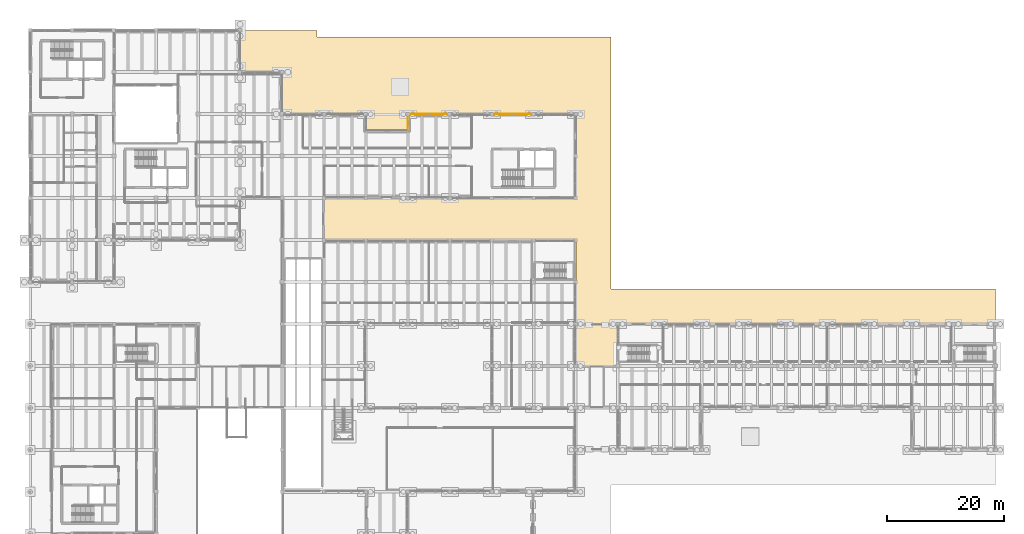
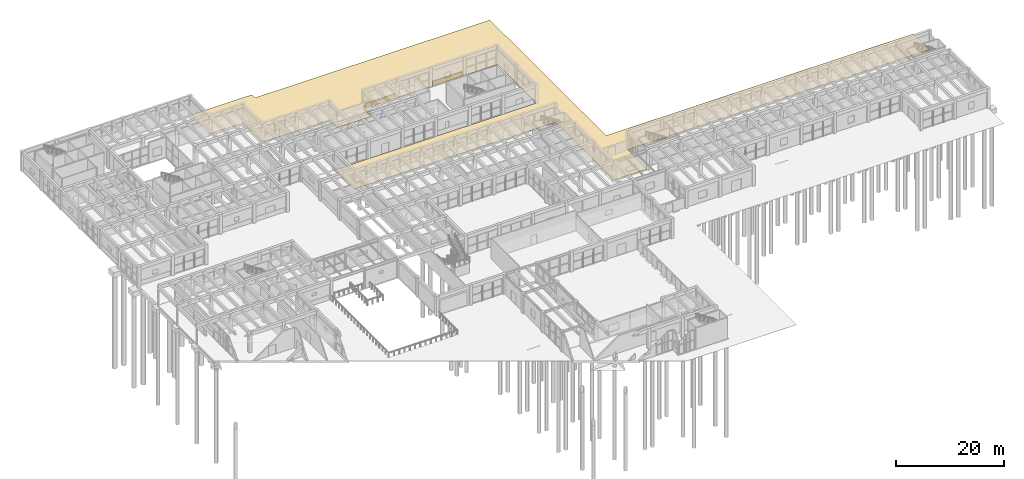
# One storey, part 153 of 155: 4 coverings.
"""IFC4 building model written with IfcOpenShell, lengths in metres."""

from ifc_helpers import new_model, si_unit, direction, frame, origin, origin_2d, place, context, subcontext, project, spatial, polyline, rectangle, outline, extrude, material, layer, layer_set, type_object, element, save


model = new_model("IFC4")

# Units and contexts
model_context = context("Model", 3, precision=1e-05, world=origin(), true_north=direction((0.0, 1.0)))
body_context = subcontext(model_context, "Body", "Model", "MODEL_VIEW")
ifc_project = project(units=[si_unit("LENGTHUNIT", "METRE"), si_unit("AREAUNIT", "SQUARE_METRE"), si_unit("VOLUMEUNIT", "CUBIC_METRE"), si_unit("PLANEANGLEUNIT", "RADIAN"), si_unit("MASSUNIT", "GRAM", prefix="KILO")], contexts=[model_context])

# Site, building, storey
site_placement = place(None, origin())
site = spatial("IfcSite", under=ifc_project, at=site_placement, CompositionType="ELEMENT")
building_placement = place(site_placement, origin())
building = spatial("IfcBuilding", under=site, at=building_placement, Name="Bramvelor Terrace Health Centre", CompositionType="ELEMENT")
storey_placement = place(building_placement, origin())
storey = spatial("IfcBuildingStorey", under=building, at=storey_placement, Name="L01", CompositionType="ELEMENT", Elevation=0.0)

# Coverings
ifc_material_1 = material(Name="Honed volcanic tuff rainscreen stone", Category="masonry")
ifc_layer_1 = layer(ifc_material_1, 0.0400390625)
ifc_layer_set_1 = layer_set([ifc_layer_1], Name="Honed volcanic tuff rainscreen stone")
covering_type_1 = type_object("IfcCoveringType", Name="COV-CLAD-TUF", PredefinedType="CLADDING", material=ifc_layer_set_1)
covering_1_placement = place(storey_placement, frame((64.77001953125, 99.242431640625, 0.02490234375), z_axis=(0.0, 0.0, 1.0), x_axis=(1.0, 0.0, 0.0)))
element("IfcCovering", 1, at=covering_1_placement, inside=storey, type_object=covering_type_1, Name="L01 Volcanic Tuff Rainscreen Spandrel 31", PredefinedType="CLADDING", context=body_context, shape_type="SweptSolid", body=[
    extrude(rectangle(XDim=0.0400390625, YDim=2.22509765625, at=origin_2d()), origin(), (0.0, 0.0, 1.0), 1.050048828125),
])
for number, where, z_axis, x_axis, name in (
    (2, (68.39990234375, 100.81494140625, 0.02490234375), (0.0, 0.0, 1.0), (1.0, 0.0, 0.0), "L01 Volcanic Tuff Rainscreen Spandrel 32"),
    (3, (82.800048828125, 100.81494140625, 0.02490234375), (0.0, 0.0, 1.0), (1.0, 0.0, 0.0), "L01 Volcanic Tuff Rainscreen Spandrel 33"),
):
    element("IfcCovering", number, at=place(storey_placement, frame(where, z_axis=z_axis, x_axis=x_axis)), inside=storey, type_object=covering_type_1, Name=name, PredefinedType="CLADDING", context=body_context, shape_type="SweptSolid", body=[
        extrude(rectangle(XDim=6.31005859375, YDim=0.0400390625, at=origin_2d()), origin(), (0.0, 0.0, 1.0), 1.050048828125),
    ])
ifc_material_2 = material(Name="Flamed granite plaza paving", Category="masonry")
ifc_layer_2 = layer(ifc_material_2, 0.050048828125)
ifc_layer_set_2 = layer_set([ifc_layer_2], Name="Flamed granite plaza paving")
covering_type_2 = type_object("IfcCoveringType", Name="COV-PAV-GRAN", PredefinedType="USERDEFINED", material=ifc_layer_set_2)
covering_2_placement = place(storey_placement, frame((0.0, 0.0, -0.050048828125)))
element("IfcCovering", 4, at=covering_2_placement, inside=storey, type_object=covering_type_2, Name="Campus Granite Grade Apron 3", ObjectType="PAVING", PredefinedType="USERDEFINED", context=body_context, shape_type="SweptSolid", body=[
    extrude(outline(polyline([(99.60009765625, 114.0), (99.60009765625, 70.800048828125), (165.550048828125, 70.800048828125), (165.550048828125, 64.81005859375), (100.800048828125, 64.81005859375), (100.799072265625, 64.81005859375), (100.798095703125, 64.809814453125), (100.797119140625, 64.8095703125), (100.796142578125, 64.80908203125), (100.79541015625, 64.808837890625), (100.79443359375, 64.808349609375), (100.793701171875, 64.8076171875), (100.79296875, 64.80712890625), (100.792236328125, 64.806396484375), (100.791748046875, 64.8056640625), (100.791259765625, 64.8046875), (100.790771484375, 64.8037109375), (100.790283203125, 64.802978515625), (100.790283203125, 64.802001953125), (100.7900390625, 64.801025390625), (100.7900390625, 64.800048828125), (100.7900390625, 57.610107421875), (93.610107421875, 57.610107421875), (93.610107421875, 79.199951171875), (93.610107421875, 79.200927734375), (93.60986328125, 79.201904296875), (93.609619140625, 79.202880859375), (93.609130859375, 79.203857421875), (93.60888671875, 79.20458984375), (93.6083984375, 79.20556640625), (93.607666015625, 79.206298828125), (93.607177734375, 79.20703125), (93.606201171875, 79.207763671875), (93.605712890625, 79.208251953125), (93.604736328125, 79.208740234375), (93.603759765625, 79.209228515625), (93.602783203125, 79.209716796875), (93.60205078125, 79.209716796875), (93.60107421875, 79.2099609375), (93.60009765625, 79.2099609375), (50.409912109375, 79.2099609375), (50.409912109375, 86.389892578125), (93.60009765625, 86.389892578125), (93.60107421875, 86.389892578125), (93.60205078125, 86.39013671875), (93.602783203125, 86.390380859375), (93.603759765625, 86.390869140625), (93.604736328125, 86.39111328125), (93.605712890625, 86.3916015625), (93.606201171875, 86.392333984375), (93.607177734375, 86.392822265625), (93.607666015625, 86.393798828125), (93.6083984375, 86.394287109375), (93.60888671875, 86.395263671875), (93.609130859375, 86.396240234375), (93.609619140625, 86.397216796875), (93.60986328125, 86.39794921875), (93.610107421875, 86.39892578125), (93.610107421875, 86.39990234375), (93.610107421875, 100.800048828125), (93.610107421875, 100.801025390625), (93.60986328125, 100.802001953125), (93.609619140625, 100.802978515625), (93.609130859375, 100.8037109375), (93.60888671875, 100.8046875), (93.6083984375, 100.8056640625), (93.607666015625, 100.806396484375), (93.607177734375, 100.80712890625), (93.606201171875, 100.8076171875), (93.605712890625, 100.808349609375), (93.604736328125, 100.808837890625), (93.603759765625, 100.80908203125), (93.602783203125, 100.8095703125), (93.60205078125, 100.809814453125), (93.60107421875, 100.81005859375), (93.60009765625, 100.81005859375), (64.800048828125, 100.81005859375), (64.799072265625, 100.81005859375), (64.798095703125, 100.809814453125), (64.797119140625, 100.8095703125), (64.796142578125, 100.80908203125), (64.79541015625, 100.808837890625), (64.79443359375, 100.808349609375), (64.793701171875, 100.8076171875), (64.79296875, 100.80712890625), (64.792236328125, 100.806396484375), (64.791748046875, 100.8056640625), (64.791259765625, 100.8046875), (64.790771484375, 100.8037109375), (64.790283203125, 100.802978515625), (64.790283203125, 100.802001953125), (64.7900390625, 100.801025390625), (64.7900390625, 100.800048828125), (64.7900390625, 98.010009765625), (57.610107421875, 98.010009765625), (57.610107421875, 100.800048828125), (57.610107421875, 100.801025390625), (57.60986328125, 100.802001953125), (57.609619140625, 100.802978515625), (57.609130859375, 100.8037109375), (57.60888671875, 100.8046875), (57.6083984375, 100.8056640625), (57.607666015625, 100.806396484375), (57.607177734375, 100.80712890625), (57.606201171875, 100.8076171875), (57.605712890625, 100.808349609375), (57.604736328125, 100.808837890625), (57.603759765625, 100.80908203125), (57.602783203125, 100.8095703125), (57.60205078125, 100.809814453125), (57.60107421875, 100.81005859375), (57.60009765625, 100.81005859375), (43.2099609375, 100.81005859375), (43.2099609375, 108.0), (43.2099609375, 108.0009765625), (43.209716796875, 108.001953125), (43.209716796875, 108.0029296875), (43.209228515625, 108.00390625), (43.208740234375, 108.004638671875), (43.208251953125, 108.005615234375), (43.207763671875, 108.00634765625), (43.20703125, 108.007080078125), (43.206298828125, 108.0078125), (43.20556640625, 108.00830078125), (43.20458984375, 108.0087890625), (43.203857421875, 108.00927734375), (43.202880859375, 108.009521484375), (43.201904296875, 108.009765625), (43.200927734375, 108.010009765625), (43.199951171875, 108.010009765625), (36.010009765625, 108.010009765625), (36.010009765625, 115.14990234375), (49.199951171875, 115.14990234375), (49.199951171875, 114.0), (99.60009765625, 114.0)])), origin(), (0.0, 0.0, 1.0), 0.050048828125),
])

save(model, "model.ifc")
